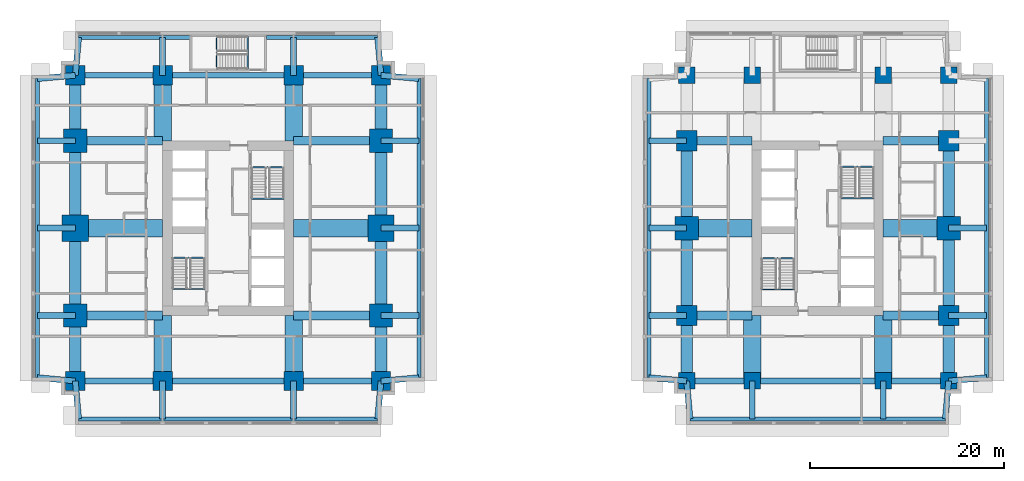
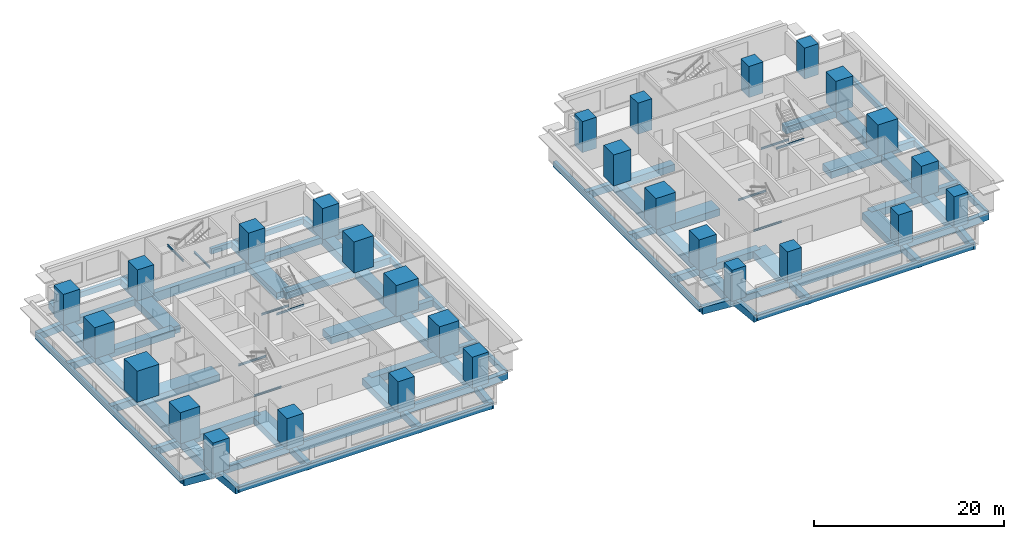
# One storey, part 1 of 11: 88 beams, 28 columns.
"""IFC4 building model written with IfcOpenShell, lengths in metres."""

import ifcopenshell
import ifcopenshell.guid

model = None  # the IFC model being written
_history = None  # IfcOwnerHistory: only IFC2X3 demands one
_inside = {}  # id of a spatial element -> (the spatial element, [elements in it])
_under = {}  # id of a project, library or spatial element -> (it, [spatial elements below it])
_declared = {}  # id of a project -> (the project, [libraries it declares])
_typed = {}  # id of a type object -> (the type object, [elements of that type])
_made_of = {}  # id of a material, layer set ... -> (it, [elements and type objects made of it])


def new_model(schema):
    """Start an empty IFC model of exactly this schema.

    Asked for "IFC4X3", IfcOpenShell would pick the latest addendum, in which some entities
    have other attributes; the version numbers below select the first issue.
    IFC2X3 requires an IfcOwnerHistory on every rooted entity: one is made here for all.
    """
    global model, _history
    if schema == "IFC4X3":
        model = ifcopenshell.file(schema_version=(4, 3, 0, 0))
    else:
        model = ifcopenshell.file(schema=schema)
    _inside.clear()
    _under.clear()
    _declared.clear()
    _typed.clear()
    _made_of.clear()
    _history = None
    if model.schema == "IFC2X3":
        org = make("IfcOrganization", Name="unknown")
        user = make(
            "IfcPersonAndOrganization",
            ThePerson=make("IfcPerson", FamilyName="unknown"),
            TheOrganization=org,
        )
        app = make(
            "IfcApplication",
            ApplicationDeveloper=org,
            Version="unknown",
            ApplicationFullName="unknown",
            ApplicationIdentifier="unknown",
        )
        _history = make(
            "IfcOwnerHistory",
            OwningUser=user,
            OwningApplication=app,
            ChangeAction="ADDED",
            CreationDate=0,
        )
    return model


def make(cls, **values):
    """One entity of the class cls with the attributes given. An attribute that is None is left unset."""
    return model.create_entity(
        cls, **{name: value for name, value in values.items() if value is not None}
    )


def rooted(cls, **values):
    """An entity with a GlobalId (a new one), such as an element, a storey or a relation."""
    return make(cls, GlobalId=ifcopenshell.guid.new(), OwnerHistory=_history, **values)


def si_unit(unit_type, name, prefix=None):
    """IfcSIUnit, for example si_unit("LENGTHUNIT", "METRE", prefix="MILLI")."""
    return make("IfcSIUnit", UnitType=unit_type, Prefix=prefix, Name=name)


def assignment(units):
    """IfcUnitAssignment: the units of a project."""
    return None if units is None else make("IfcUnitAssignment", Units=units)


def point(xyz):
    """IfcCartesianPoint."""
    return None if xyz is None else make("IfcCartesianPoint", Coordinates=xyz)


def direction(xyz):
    """IfcDirection."""
    return None if xyz is None else make("IfcDirection", DirectionRatios=xyz)


def frame(location, z_axis=None, x_axis=None):
    """IfcAxis2Placement3D, a coordinate frame: its origin and axes. An axis left out is left unset."""
    return make(
        "IfcAxis2Placement3D",
        Location=point(location),
        Axis=direction(z_axis),
        RefDirection=direction(x_axis),
    )


def frame_2d(location, x_axis=None):
    """IfcAxis2Placement2D, a coordinate frame in the plane: its origin and x axis."""
    return make(
        "IfcAxis2Placement2D", Location=point(location), RefDirection=direction(x_axis)
    )


def origin():
    """The frame at (0, 0, 0) with its axes left unset."""
    return frame((0.0, 0.0, 0.0))


def origin_2d():
    """The frame at (0, 0) in the plane with its x axis left unset."""
    return frame_2d((0.0, 0.0))


def place(relative_to, where):
    """IfcLocalPlacement: puts the frame where relative to a parent placement (None: the world)."""
    return make(
        "IfcLocalPlacement", PlacementRelTo=relative_to, RelativePlacement=where
    )


def context(
    kind, dimensions, precision=None, world=None, true_north=None, identifier=None
):
    """IfcGeometricRepresentationContext, for example the 3D "Model" context."""
    return make(
        "IfcGeometricRepresentationContext",
        ContextIdentifier=identifier,
        ContextType=kind,
        CoordinateSpaceDimension=dimensions,
        Precision=precision,
        WorldCoordinateSystem=world,
        TrueNorth=true_north,
    )


def subcontext(parent, identifier, kind, view, scale=None):
    """IfcGeometricRepresentationSubContext, for example "Body" below "Model"."""
    return make(
        "IfcGeometricRepresentationSubContext",
        ContextIdentifier=identifier,
        ContextType=kind,
        ParentContext=parent,
        TargetScale=scale,
        TargetView=view,
    )


def project(units=None, contexts=None):
    """IfcProject with its units and contexts."""
    return rooted(
        "IfcProject",
        Name="project",
        RepresentationContexts=contexts,
        UnitsInContext=assignment(units),
    )


def spatial(cls, under=None, at=None, **own):
    """A site, building, storey or space (cls), placed at a placement, below another one or the project."""
    s = rooted(cls, ObjectPlacement=at, **own)
    if under is not None:
        _under.setdefault(under.id(), (under, []))[1].append(s)
    return s


def profile(cls, at=None, kind="AREA", **sizes):
    """A parametric profile (cls). Its sizes go by their IFC names, for example OverallWidth=200.0."""
    return make(cls, ProfileType=kind, Position=at, **sizes)


def rectangle(**sizes):
    """IfcRectangleProfileDef."""
    return profile("IfcRectangleProfileDef", **sizes)


def i_section(**sizes):
    """IfcIShapeProfileDef."""
    return profile("IfcIShapeProfileDef", **sizes)


def extrude(swept, where, along, depth):
    """IfcExtrudedAreaSolid: the profile swept, set in the frame where, extruded along a direction by depth."""
    return make(
        "IfcExtrudedAreaSolid",
        SweptArea=swept,
        Position=where,
        ExtrudedDirection=direction(along),
        Depth=depth,
    )


def shape(context_of_items, identifier, shape_type, items):
    """IfcShapeRepresentation: the items that make up one representation, for example the "Body"."""
    return make(
        "IfcShapeRepresentation",
        ContextOfItems=context_of_items,
        RepresentationIdentifier=identifier,
        RepresentationType=shape_type,
        Items=items,
    )


def material(Name=None, Category=None):
    """IfcMaterial."""
    return make("IfcMaterial", Name=Name, Category=Category)


def material_profile(
    of_material, cross_section, Name=None, Category=None, Priority=None
):
    """IfcMaterialProfile: a cross section and its material."""
    return make(
        "IfcMaterialProfile",
        Name=Name,
        Material=of_material,
        Profile=cross_section,
        Priority=Priority,
        Category=Category,
    )


def profile_set(profiles, Name=None, composite=None):
    """IfcMaterialProfileSet."""
    return make(
        "IfcMaterialProfileSet",
        Name=Name,
        MaterialProfiles=profiles,
        CompositeProfile=composite,
    )


def made_of(thing, what):
    """Note that an element or type object is made of a material, layer set ...; save() writes the relation."""
    if what is not None:
        _made_of.setdefault(what.id(), (what, []))[1].append(thing)
    return thing


def type_object(cls, material=None, **own):
    """A type object (cls), such as IfcWallType, which elements share."""
    return made_of(rooted(cls, **own), material)


def element(
    cls,
    number,
    at=None,
    inside=None,
    cuts=None,
    type_object=None,
    material=None,
    context=None,
    identifier="Body",
    shape_type=None,
    held_by="IfcProductDefinitionShape",
    body=None,
    shapes=None,
    **own,
):
    """One element of the class cls, such as IfcWall. Its Tag is "e" and its number.

    at: its placement. inside: the storey or other place that contains it. cuts: it is an
    opening in that element (IfcRelVoidsElement). A single representation is given by context,
    identifier, shape_type and body (its items); several are given by shapes. held_by: the class
    of the entity that holds the representations. save() writes the other relations.
    """
    e = rooted(cls, Tag="e%d" % number, ObjectPlacement=at, **own)
    if body is not None:
        shapes = [shape(context, identifier, shape_type, body)]
    if shapes is not None:
        e.Representation = make(held_by, Representations=shapes)
    if inside is not None:
        _inside.setdefault(inside.id(), (inside, []))[1].append(e)
    if cuts is not None:
        rooted(
            "IfcRelVoidsElement", RelatingBuildingElement=cuts, RelatedOpeningElement=e
        )
    if type_object is not None:
        _typed.setdefault(type_object.id(), (type_object, []))[1].append(e)
    return made_of(e, material)


def aggregate(whole, parts):
    """IfcRelAggregates: a whole, such as a stair, and the parts it consists of."""
    return rooted("IfcRelAggregates", RelatingObject=whole, RelatedObjects=parts)


def save(model, path):
    """Write the relations noted so far, then the file.

    IfcRelAggregates (storeys below a building ...), IfcRelContainedInSpatialStructure (elements
    in a storey), IfcRelDefinesByType, IfcRelAssociatesMaterial and IfcRelDeclares: one each for
    every whole, place, type object, material and project.
    """
    for whole, parts in _under.values():
        aggregate(whole, parts)
    for where, things in _inside.values():
        rooted(
            "IfcRelContainedInSpatialStructure",
            RelatedElements=things,
            RelatingStructure=where,
        )
    for kind, things in _typed.values():
        rooted("IfcRelDefinesByType", RelatedObjects=things, RelatingType=kind)
    for what, things in _made_of.values():
        rooted("IfcRelAssociatesMaterial", RelatedObjects=things, RelatingMaterial=what)
    for by, libraries in _declared.values():
        rooted("IfcRelDeclares", RelatingContext=by, RelatedDefinitions=libraries)
    model.write(path)


model = new_model("IFC4")

# Units and contexts
model_context = context("Model", 3, precision=1e-05, world=origin(), true_north=direction((0.0, 1.0)))
body_context = subcontext(model_context, "Body", "Model", "MODEL_VIEW")
ifc_project = project(units=[si_unit("LENGTHUNIT", "METRE"), si_unit("AREAUNIT", "SQUARE_METRE"), si_unit("VOLUMEUNIT", "CUBIC_METRE"), si_unit("PLANEANGLEUNIT", "RADIAN"), si_unit("MASSUNIT", "GRAM", prefix="KILO")], contexts=[model_context])

# Site, building, storey
site_placement = place(None, origin())
site = spatial("IfcSite", under=ifc_project, at=site_placement, CompositionType="ELEMENT")
building_placement = place(site_placement, origin())
building = spatial("IfcBuilding", under=site, at=building_placement, Name="Namib Vertical Campus", CompositionType="ELEMENT")
storey_placement = place(building_placement, frame((0.0, 0.0, 57.0)))
storey = spatial("IfcBuildingStorey", under=building, at=storey_placement, Name="L13", CompositionType="ELEMENT", Elevation=57.0)

# Columns
ifc_material_1 = material(Name="Concrete C60/75", Category="concrete")
ifc_material_profile_1 = material_profile(ifc_material_1, rectangle(XDim=1.699951171875, YDim=1.699951171875, at=origin_2d()))
ifc_profile_set_1 = profile_set([ifc_material_profile_1], Name="Concrete C60/75")
column_type_1 = type_object("IfcColumnType", Name="Column RC 1700x1700", PredefinedType="COLUMN", material=ifc_profile_set_1)
for number, where, z_axis, x_axis, name in (
    (1, (67.5, 4.5, 0.0), (0.0, 0.0, 1.0), (1.0, 0.0, 0.0), "Column C170 L13"),
    (2, (74.25, 4.5, 0.0), (0.0, 0.0, 1.0), (1.0, 0.0, 0.0), "Column C170 L13"),
    (3, (87.75, 4.5, 0.0), (0.0, 0.0, 1.0), (1.0, 0.0, 0.0), "Column C170 L13"),
    (4, (94.5, 4.5, 0.0), (0.0, 0.0, 1.0), (1.0, 0.0, 0.0), "Column C170 L13"),
    (5, (67.5, 36.0, 0.0), (0.0, 0.0, 1.0), (1.0, 0.0, 0.0), "Column C170 L13"),
    (6, (74.25, 36.0, 0.0), (0.0, 0.0, 1.0), (1.0, 0.0, 0.0), "Column C170 L13"),
    (7, (87.75, 36.0, 0.0), (0.0, 0.0, 1.0), (1.0, 0.0, 0.0), "Column C170 L13"),
    (8, (94.5, 36.0, 0.0), (0.0, 0.0, 1.0), (1.0, 0.0, 0.0), "Column C170 L13"),
):
    element("IfcColumn", number, at=place(storey_placement, frame(where, z_axis=z_axis, x_axis=x_axis)), inside=storey, type_object=column_type_1, Name=name, PredefinedType="COLUMN", context=body_context, shape_type="SweptSolid", body=[
        extrude(rectangle(XDim=1.699951171875, YDim=1.699951171875, at=origin_2d()), origin(), (0.0, 0.0, 1.0), 4.0),
    ])
ifc_material_2 = material(Name="Concrete C60/75", Category="concrete")
ifc_material_profile_2 = material_profile(ifc_material_2, rectangle(XDim=2.0, YDim=2.0, at=origin_2d()))
ifc_profile_set_2 = profile_set([ifc_material_profile_2], Name="Concrete C60/75")
column_type_2 = type_object("IfcColumnType", Name="Column RC 2000x2000", PredefinedType="COLUMN", material=ifc_profile_set_2)
for number, where, z_axis, x_axis, name in (
    (9, (4.5, 4.5, 0.0), (0.0, 0.0, 1.0), (1.0, 0.0, 0.0), "Column C200 L13"),
    (10, (13.5, 4.5, 0.0), (0.0, 0.0, 1.0), (1.0, 0.0, 0.0), "Column C200 L13"),
    (11, (27.0, 4.5, 0.0), (0.0, 0.0, 1.0), (1.0, 0.0, 0.0), "Column C200 L13"),
    (12, (36.0, 4.5, 0.0), (0.0, 0.0, 1.0), (1.0, 0.0, 0.0), "Column C200 L13"),
    (13, (4.5, 36.0, 0.0), (0.0, 0.0, 1.0), (1.0, 0.0, 0.0), "Column C200 L13"),
    (14, (13.5, 36.0, 0.0), (0.0, 0.0, 1.0), (1.0, 0.0, 0.0), "Column C200 L13"),
    (15, (27.0, 36.0, 0.0), (0.0, 0.0, 1.0), (1.0, 0.0, 0.0), "Column C200 L13"),
    (16, (36.0, 36.0, 0.0), (0.0, 0.0, 1.0), (1.0, 0.0, 0.0), "Column C200 L13"),
):
    element("IfcColumn", number, at=place(storey_placement, frame(where, z_axis=z_axis, x_axis=x_axis)), inside=storey, type_object=column_type_2, Name=name, PredefinedType="COLUMN", context=body_context, shape_type="SweptSolid", body=[
        extrude(rectangle(XDim=2.0, YDim=2.0, at=origin_2d()), origin(), (0.0, 0.0, 1.0), 4.0),
    ])
ifc_material_3 = material(Name="Concrete C60/75", Category="concrete")
ifc_material_profile_3 = material_profile(ifc_material_3, rectangle(XDim=2.10009765625, YDim=2.10009765625, at=origin_2d()))
ifc_profile_set_3 = profile_set([ifc_material_profile_3], Name="Concrete C60/75")
column_type_3 = type_object("IfcColumnType", Name="Column RC 2100x2100", PredefinedType="COLUMN", material=ifc_profile_set_3)
for number, where, z_axis, x_axis, name in (
    (17, (67.5, 11.25, 0.0), (0.0, 0.0, 1.0), (1.0, 0.0, 0.0), "Column C210 L13"),
    (18, (94.5, 11.25, 0.0), (0.0, 0.0, 1.0), (1.0, 0.0, 0.0), "Column C210 L13"),
    (19, (67.5, 29.25, 0.0), (0.0, 0.0, 1.0), (1.0, 0.0, 0.0), "Column C210 L13"),
    (20, (94.5, 29.25, 0.0), (0.0, 0.0, 1.0), (1.0, 0.0, 0.0), "Column C210 L13"),
):
    element("IfcColumn", number, at=place(storey_placement, frame(where, z_axis=z_axis, x_axis=x_axis)), inside=storey, type_object=column_type_3, Name=name, PredefinedType="COLUMN", context=body_context, shape_type="SweptSolid", body=[
        extrude(rectangle(XDim=2.10009765625, YDim=2.10009765625, at=origin_2d()), origin(), (0.0, 0.0, 1.0), 4.0),
    ])
ifc_material_4 = material(Name="Concrete C60/75", Category="concrete")
ifc_material_profile_4 = material_profile(ifc_material_4, rectangle(XDim=2.39990234375, YDim=2.39990234375, at=origin_2d()))
ifc_profile_set_4 = profile_set([ifc_material_profile_4], Name="Concrete C60/75")
column_type_4 = type_object("IfcColumnType", Name="Column RC 2400x2400", PredefinedType="COLUMN", material=ifc_profile_set_4)
for number, where, z_axis, x_axis, name in (
    (21, (4.5, 11.25, 0.0), (0.0, 0.0, 1.0), (1.0, 0.0, 0.0), "Column C240 L13"),
    (22, (36.0, 11.25, 0.0), (0.0, 0.0, 1.0), (1.0, 0.0, 0.0), "Column C240 L13"),
    (23, (4.5, 29.25, 0.0), (0.0, 0.0, 1.0), (1.0, 0.0, 0.0), "Column C240 L13"),
    (24, (36.0, 29.25, 0.0), (0.0, 0.0, 1.0), (1.0, 0.0, 0.0), "Column C240 L13"),
    (25, (67.5, 20.25, 0.0), (0.0, 0.0, 1.0), (1.0, 0.0, 0.0), "Column C240 L13"),
    (26, (94.5, 20.25, 0.0), (0.0, 0.0, 1.0), (1.0, 0.0, 0.0), "Column C240 L13"),
):
    element("IfcColumn", number, at=place(storey_placement, frame(where, z_axis=z_axis, x_axis=x_axis)), inside=storey, type_object=column_type_4, Name=name, PredefinedType="COLUMN", context=body_context, shape_type="SweptSolid", body=[
        extrude(rectangle(XDim=2.39990234375, YDim=2.39990234375, at=origin_2d()), origin(), (0.0, 0.0, 1.0), 4.0),
    ])
ifc_material_5 = material(Name="Concrete C60/75", Category="concrete")
ifc_material_profile_5 = material_profile(ifc_material_5, rectangle(XDim=2.699951171875, YDim=2.699951171875, at=origin_2d()))
ifc_profile_set_5 = profile_set([ifc_material_profile_5], Name="Concrete C60/75")
column_type_5 = type_object("IfcColumnType", Name="Column RC 2700x2700", PredefinedType="COLUMN", material=ifc_profile_set_5)
for number, where, z_axis, x_axis, name in (
    (27, (4.5, 20.25, 0.0), (0.0, 0.0, 1.0), (1.0, 0.0, 0.0), "Column C270 L13"),
    (28, (36.0, 20.25, 0.0), (0.0, 0.0, 1.0), (1.0, 0.0, 0.0), "Column C270 L13"),
):
    element("IfcColumn", number, at=place(storey_placement, frame(where, z_axis=z_axis, x_axis=x_axis)), inside=storey, type_object=column_type_5, Name=name, PredefinedType="COLUMN", context=body_context, shape_type="SweptSolid", body=[
        extrude(rectangle(XDim=2.699951171875, YDim=2.699951171875, at=origin_2d()), origin(), (0.0, 0.0, 1.0), 4.0),
    ])

# Beams
ifc_material_6 = material(Name="Concrete C40/50", Category="concrete")
ifc_material_profile_6 = material_profile(ifc_material_6, rectangle(XDim=0.60009765625, YDim=0.89990234375, at=origin_2d()))
ifc_profile_set_6 = profile_set([ifc_material_profile_6], Name="Concrete C40/50")
beam_type_1 = type_object("IfcBeamType", Name="Cantilever girder RC 600x900", PredefinedType="BEAM", material=ifc_profile_set_6)
beam_1_placement = place(storey_placement, frame((4.5, 4.5, -0.699951171875), z_axis=(0.089411326146, -0.995994786511, 0.0), x_axis=(0.995994786511, 0.089411326146, 0.0)))
element("IfcBeam", 29, at=beam_1_placement, inside=storey, type_object=beam_type_1, Name="Beam B3 L13", PredefinedType="BEAM", context=body_context, shape_type="SweptSolid", body=[
    extrude(rectangle(XDim=0.60009765625, YDim=0.89990234375, at=origin_2d()), origin(), (0.0, 0.0, 1.0), 3.91552734375),
])
for number, where, z_axis, x_axis, name in (
    (30, (13.5, 4.5, -0.699951171875), (0.0, -1.0, 0.0), (1.0, 0.0, 0.0), "Beam B3 L13"),
    (31, (27.0, 4.5, -0.699951171875), (0.0, -1.0, 0.0), (1.0, 0.0, 0.0), "Beam B3 L13"),
):
    element("IfcBeam", number, at=place(storey_placement, frame(where, z_axis=z_axis, x_axis=x_axis)), inside=storey, type_object=beam_type_1, Name=name, PredefinedType="BEAM", context=body_context, shape_type="SweptSolid", body=[
        extrude(rectangle(XDim=0.60009765625, YDim=0.89990234375, at=origin_2d()), origin(), (0.0, 0.0, 1.0), 3.89990234375),
    ])
for number, where, z_axis, x_axis, name in (
    (32, (36.0, 4.5, -0.699951171875), (-0.089411326146, -0.995994786511, 0.0), (0.995994786511, -0.089411326146, 0.0), "Beam B3 L13"),
    (33, (4.5, 36.0, -0.699951171875), (0.089411326146, 0.995994786511, 0.0), (-0.995994786511, 0.089411326146, 0.0), "Beam B3 L13"),
):
    element("IfcBeam", number, at=place(storey_placement, frame(where, z_axis=z_axis, x_axis=x_axis)), inside=storey, type_object=beam_type_1, Name=name, PredefinedType="BEAM", context=body_context, shape_type="SweptSolid", body=[
        extrude(rectangle(XDim=0.60009765625, YDim=0.89990234375, at=origin_2d()), origin(), (0.0, 0.0, 1.0), 3.91552734375),
    ])
for number, where, z_axis, x_axis, name in (
    (34, (13.5, 36.0, -0.699951171875), (0.0, 1.0, 0.0), (-1.0, 0.0, 0.0), "Beam B3 L13"),
    (35, (27.0, 36.0, -0.699951171875), (0.0, 1.0, 0.0), (-1.0, 0.0, 0.0), "Beam B3 L13"),
):
    element("IfcBeam", number, at=place(storey_placement, frame(where, z_axis=z_axis, x_axis=x_axis)), inside=storey, type_object=beam_type_1, Name=name, PredefinedType="BEAM", context=body_context, shape_type="SweptSolid", body=[
        extrude(rectangle(XDim=0.60009765625, YDim=0.89990234375, at=origin_2d()), origin(), (0.0, 0.0, 1.0), 3.89990234375),
    ])
for number, where, z_axis, x_axis, name in (
    (36, (36.0, 36.0, -0.699951171875), (-0.089411326146, 0.995994786511, 0.0), (-0.995994786511, -0.089411326146, 0.0), "Beam B3 L13"),
    (37, (4.5, 4.5, -0.699951171875), (-0.995994786511, 0.089411326146, 0.0), (-0.089411326146, -0.995994786511, 0.0), "Beam B3 L13"),
):
    element("IfcBeam", number, at=place(storey_placement, frame(where, z_axis=z_axis, x_axis=x_axis)), inside=storey, type_object=beam_type_1, Name=name, PredefinedType="BEAM", context=body_context, shape_type="SweptSolid", body=[
        extrude(rectangle(XDim=0.60009765625, YDim=0.89990234375, at=origin_2d()), origin(), (0.0, 0.0, 1.0), 3.91552734375),
    ])
for number, where, z_axis, x_axis, name in (
    (38, (4.5, 11.25, -0.699951171875), (-1.0, 0.0, 0.0), (0.0, -1.0, 0.0), "Beam B3 L13"),
    (39, (4.5, 20.25, -0.699951171875), (-1.0, 0.0, 0.0), (0.0, -1.0, 0.0), "Beam B3 L13"),
    (40, (4.5, 29.25, -0.699951171875), (-1.0, 0.0, 0.0), (0.0, -1.0, 0.0), "Beam B3 L13"),
):
    element("IfcBeam", number, at=place(storey_placement, frame(where, z_axis=z_axis, x_axis=x_axis)), inside=storey, type_object=beam_type_1, Name=name, PredefinedType="BEAM", context=body_context, shape_type="SweptSolid", body=[
        extrude(rectangle(XDim=0.60009765625, YDim=0.89990234375, at=origin_2d()), origin(), (0.0, 0.0, 1.0), 3.89990234375),
    ])
for number, where, z_axis, x_axis, name in (
    (41, (4.5, 36.0, -0.699951171875), (-0.995994786511, -0.089411326146, 0.0), (0.089411326146, -0.995994786511, 0.0), "Beam B3 L13"),
    (42, (36.0, 4.5, -0.699951171875), (0.995994786511, 0.089411326146, 0.0), (-0.089411326146, 0.995994786511, 0.0), "Beam B3 L13"),
):
    element("IfcBeam", number, at=place(storey_placement, frame(where, z_axis=z_axis, x_axis=x_axis)), inside=storey, type_object=beam_type_1, Name=name, PredefinedType="BEAM", context=body_context, shape_type="SweptSolid", body=[
        extrude(rectangle(XDim=0.60009765625, YDim=0.89990234375, at=origin_2d()), origin(), (0.0, 0.0, 1.0), 3.91552734375),
    ])
for number, where, z_axis, x_axis, name in (
    (43, (36.0, 11.25, -0.699951171875), (1.0, 0.0, 0.0), (0.0, 1.0, 0.0), "Beam B3 L13"),
    (44, (36.0, 20.25, -0.699951171875), (1.0, 0.0, 0.0), (0.0, 1.0, 0.0), "Beam B3 L13"),
    (45, (36.0, 29.25, -0.699951171875), (1.0, 0.0, 0.0), (0.0, 1.0, 0.0), "Beam B3 L13"),
):
    element("IfcBeam", number, at=place(storey_placement, frame(where, z_axis=z_axis, x_axis=x_axis)), inside=storey, type_object=beam_type_1, Name=name, PredefinedType="BEAM", context=body_context, shape_type="SweptSolid", body=[
        extrude(rectangle(XDim=0.60009765625, YDim=0.89990234375, at=origin_2d()), origin(), (0.0, 0.0, 1.0), 3.89990234375),
    ])
for number, where, z_axis, x_axis, name in (
    (46, (36.0, 36.0, -0.699951171875), (0.995994786511, -0.089411326146, 0.0), (0.089411326146, 0.995994786511, 0.0), "Beam B3 L13"),
    (47, (67.5, 4.5, -0.699951171875), (0.089411326146, -0.995994786511, 0.0), (0.995994786511, 0.089411326146, 0.0), "Beam B3 L13"),
):
    element("IfcBeam", number, at=place(storey_placement, frame(where, z_axis=z_axis, x_axis=x_axis)), inside=storey, type_object=beam_type_1, Name=name, PredefinedType="BEAM", context=body_context, shape_type="SweptSolid", body=[
        extrude(rectangle(XDim=0.60009765625, YDim=0.89990234375, at=origin_2d()), origin(), (0.0, 0.0, 1.0), 3.91552734375),
    ])
for number, where, z_axis, x_axis, name in (
    (48, (74.25, 4.5, -0.699951171875), (0.0, -1.0, 0.0), (1.0, 0.0, 0.0), "Beam B3 L13"),
    (49, (87.75, 4.5, -0.699951171875), (0.0, -1.0, 0.0), (1.0, 0.0, 0.0), "Beam B3 L13"),
):
    element("IfcBeam", number, at=place(storey_placement, frame(where, z_axis=z_axis, x_axis=x_axis)), inside=storey, type_object=beam_type_1, Name=name, PredefinedType="BEAM", context=body_context, shape_type="SweptSolid", body=[
        extrude(rectangle(XDim=0.60009765625, YDim=0.89990234375, at=origin_2d()), origin(), (0.0, 0.0, 1.0), 3.89990234375),
    ])
for number, where, z_axis, x_axis, name in (
    (50, (94.5, 4.5, -0.699951171875), (-0.089411326146, -0.995994786511, 0.0), (0.995994786511, -0.089411326146, 0.0), "Beam B3 L13"),
    (51, (67.5, 4.5, -0.699951171875), (-0.995994786511, 0.089411326146, 0.0), (-0.089411326146, -0.995994786511, 0.0), "Beam B3 L13"),
):
    element("IfcBeam", number, at=place(storey_placement, frame(where, z_axis=z_axis, x_axis=x_axis)), inside=storey, type_object=beam_type_1, Name=name, PredefinedType="BEAM", context=body_context, shape_type="SweptSolid", body=[
        extrude(rectangle(XDim=0.60009765625, YDim=0.89990234375, at=origin_2d()), origin(), (0.0, 0.0, 1.0), 3.91552734375),
    ])
for number, where, z_axis, x_axis, name in (
    (52, (67.5, 11.25, -0.699951171875), (-1.0, 0.0, 0.0), (0.0, -1.0, 0.0), "Beam B3 L13"),
    (53, (67.5, 20.25, -0.699951171875), (-1.0, 0.0, 0.0), (0.0, -1.0, 0.0), "Beam B3 L13"),
    (54, (67.5, 29.25, -0.699951171875), (-1.0, 0.0, 0.0), (0.0, -1.0, 0.0), "Beam B3 L13"),
):
    element("IfcBeam", number, at=place(storey_placement, frame(where, z_axis=z_axis, x_axis=x_axis)), inside=storey, type_object=beam_type_1, Name=name, PredefinedType="BEAM", context=body_context, shape_type="SweptSolid", body=[
        extrude(rectangle(XDim=0.60009765625, YDim=0.89990234375, at=origin_2d()), origin(), (0.0, 0.0, 1.0), 3.89990234375),
    ])
beam_2_placement = place(storey_placement, frame((94.5, 4.5, -0.699951171875), z_axis=(0.995994786511, 0.089411326146, 0.0), x_axis=(-0.089411326146, 0.995994786511, 0.0)))
element("IfcBeam", 55, at=beam_2_placement, inside=storey, type_object=beam_type_1, Name="Beam B3 L13", PredefinedType="BEAM", context=body_context, shape_type="SweptSolid", body=[
    extrude(rectangle(XDim=0.60009765625, YDim=0.89990234375, at=origin_2d()), origin(), (0.0, 0.0, 1.0), 3.91552734375),
])
for number, where, z_axis, x_axis, name in (
    (56, (94.5, 11.25, -0.699951171875), (1.0, 0.0, 0.0), (0.0, 1.0, 0.0), "Beam B3 L13"),
    (57, (94.5, 20.25, -0.699951171875), (1.0, 0.0, 0.0), (0.0, 1.0, 0.0), "Beam B3 L13"),
):
    element("IfcBeam", number, at=place(storey_placement, frame(where, z_axis=z_axis, x_axis=x_axis)), inside=storey, type_object=beam_type_1, Name=name, PredefinedType="BEAM", context=body_context, shape_type="SweptSolid", body=[
        extrude(rectangle(XDim=0.60009765625, YDim=0.89990234375, at=origin_2d()), origin(), (0.0, 0.0, 1.0), 3.89990234375),
    ])
ifc_material_7 = material(Name="Concrete C40/50", Category="concrete")
ifc_material_profile_7 = material_profile(ifc_material_7, rectangle(XDim=0.39990234375, YDim=0.699951171875, at=origin_2d()))
ifc_profile_set_7 = profile_set([ifc_material_profile_7], Name="Concrete C40/50")
beam_type_2 = type_object("IfcBeamType", Name="Edge beam RC 400x700", PredefinedType="SPANDREL", material=ifc_profile_set_7)
beam_3_placement = place(storey_placement, frame((4.85009765625, 0.60009765625, -0.60009765625), z_axis=(1.0, 0.0, 0.0), x_axis=(0.0, 1.0, 0.0)))
element("IfcBeam", 58, at=beam_3_placement, inside=storey, type_object=beam_type_2, Name="Beam B4 L13", PredefinedType="SPANDREL", context=body_context, shape_type="SweptSolid", body=[
    extrude(rectangle(XDim=0.39990234375, YDim=0.699951171875, at=origin_2d()), origin(), (0.0, 0.0, 1.0), 30.7998046875),
])
for number, where, z_axis, x_axis, name in (
    (59, (4.85009765625, 39.89990234375, -0.60009765625), (1.0, 0.0, 0.0), (0.0, 1.0, 0.0), "Beam B4 L13"),
    (60, (24.199951171875, 39.89990234375, -0.60009765625), (1.0, 0.0, 0.0), (0.0, 1.0, 0.0), "Beam B4 L13"),
):
    element("IfcBeam", number, at=place(storey_placement, frame(where, z_axis=z_axis, x_axis=x_axis)), inside=storey, type_object=beam_type_2, Name=name, PredefinedType="SPANDREL", context=body_context, shape_type="SweptSolid", body=[
        extrude(rectangle(XDim=0.39990234375, YDim=0.699951171875, at=origin_2d()), origin(), (0.0, 0.0, 1.0), 11.449951171875),
    ])
for number, where, z_axis, x_axis, name in (
    (61, (0.60009765625, 4.85009765625, -0.60009765625), (0.0, 1.0, 0.0), (-1.0, 0.0, 0.0), "Beam B4 L13"),
    (62, (39.89990234375, 4.85009765625, -0.60009765625), (0.0, 1.0, 0.0), (-1.0, 0.0, 0.0), "Beam B4 L13"),
):
    element("IfcBeam", number, at=place(storey_placement, frame(where, z_axis=z_axis, x_axis=x_axis)), inside=storey, type_object=beam_type_2, Name=name, PredefinedType="SPANDREL", context=body_context, shape_type="SweptSolid", body=[
        extrude(rectangle(XDim=0.39990234375, YDim=0.699951171875, at=origin_2d()), origin(), (0.0, 0.0, 1.0), 30.7998046875),
    ])
beam_4_placement = place(storey_placement, frame((67.85009765625, 0.60009765625, -0.60009765625), z_axis=(1.0, 0.0, 0.0), x_axis=(0.0, 1.0, 0.0)))
element("IfcBeam", 63, at=beam_4_placement, inside=storey, type_object=beam_type_2, Name="Beam B4 L13", PredefinedType="SPANDREL", context=body_context, shape_type="SweptSolid", body=[
    extrude(rectangle(XDim=0.39990234375, YDim=0.699951171875, at=origin_2d()), origin(), (0.0, 0.0, 1.0), 26.2998046875),
])
for number, where, z_axis, x_axis, name in (
    (64, (63.60009765625, 4.85009765625, -0.60009765625), (0.0, 1.0, 0.0), (-1.0, 0.0, 0.0), "Beam B4 L13"),
    (65, (98.39990234375, 4.85009765625, -0.60009765625), (0.0, 1.0, 0.0), (-1.0, 0.0, 0.0), "Beam B4 L13"),
):
    element("IfcBeam", number, at=place(storey_placement, frame(where, z_axis=z_axis, x_axis=x_axis)), inside=storey, type_object=beam_type_2, Name=name, PredefinedType="SPANDREL", context=body_context, shape_type="SweptSolid", body=[
        extrude(rectangle(XDim=0.39990234375, YDim=0.699951171875, at=origin_2d()), origin(), (0.0, 0.0, 1.0), 30.7998046875),
    ])
ifc_material_8 = material(Name="Concrete C40/50", Category="concrete")
ifc_material_profile_8 = material_profile(ifc_material_8, rectangle(XDim=0.89990234375, YDim=0.89990234375, at=origin_2d()))
ifc_profile_set_8 = profile_set([ifc_material_profile_8], Name="Concrete C40/50")
beam_type_3 = type_object("IfcBeamType", Name="Face girder RC 900x900", PredefinedType="BEAM", material=ifc_profile_set_8)
for number, where, z_axis, x_axis, name in (
    (66, (4.5, 11.25, -0.699951171875), (1.0, 0.0, 0.0), (0.0, 1.0, 0.0), "Beam B10 L13"),
    (67, (36.0, 11.25, -0.699951171875), (-1.0, 0.0, 0.0), (0.0, -1.0, 0.0), "Beam B10 L13"),
    (68, (4.5, 29.25, -0.699951171875), (1.0, 0.0, 0.0), (0.0, 1.0, 0.0), "Beam B10 L13"),
    (69, (36.0, 29.25, -0.699951171875), (-1.0, 0.0, 0.0), (0.0, -1.0, 0.0), "Beam B10 L13"),
):
    element("IfcBeam", number, at=place(storey_placement, frame(where, z_axis=z_axis, x_axis=x_axis)), inside=storey, type_object=beam_type_3, Name=name, PredefinedType="BEAM", context=body_context, shape_type="SweptSolid", body=[
        extrude(rectangle(XDim=0.89990234375, YDim=0.89990234375, at=origin_2d()), origin(), (0.0, 0.0, 1.0), 9.0),
    ])
for number, where, z_axis, x_axis, name in (
    (70, (67.5, 11.25, -0.699951171875), (1.0, 0.0, 0.0), (0.0, 1.0, 0.0), "Beam B10 L13"),
    (71, (94.5, 11.25, -0.699951171875), (-1.0, 0.0, 0.0), (0.0, -1.0, 0.0), "Beam B10 L13"),
    (72, (67.5, 29.25, -0.699951171875), (1.0, 0.0, 0.0), (0.0, 1.0, 0.0), "Beam B10 L13"),
    (73, (94.5, 29.25, -0.699951171875), (-1.0, 0.0, 0.0), (0.0, -1.0, 0.0), "Beam B10 L13"),
):
    element("IfcBeam", number, at=place(storey_placement, frame(where, z_axis=z_axis, x_axis=x_axis)), inside=storey, type_object=beam_type_3, Name=name, PredefinedType="BEAM", context=body_context, shape_type="SweptSolid", body=[
        extrude(rectangle(XDim=0.89990234375, YDim=0.89990234375, at=origin_2d()), origin(), (0.0, 0.0, 1.0), 6.75),
    ])
ifc_material_9 = material(Name="Concrete C40/50", Category="concrete")
ifc_material_profile_9 = material_profile(ifc_material_9, rectangle(XDim=1.199951171875, YDim=1.10009765625, at=origin_2d()))
ifc_profile_set_9 = profile_set([ifc_material_profile_9], Name="Concrete C40/50")
beam_type_4 = type_object("IfcBeamType", Name="Face ring beam RC 1200x1100", PredefinedType="BEAM", material=ifc_profile_set_9)
beam_5_placement = place(storey_placement, frame((4.5, 4.5, -0.800048828125), z_axis=(0.0, 1.0, 0.0), x_axis=(-1.0, 0.0, 0.0)))
element("IfcBeam", 74, at=beam_5_placement, inside=storey, type_object=beam_type_4, Name="Beam B11 L13", PredefinedType="BEAM", context=body_context, shape_type="SweptSolid", body=[
    extrude(rectangle(XDim=1.199951171875, YDim=1.10009765625, at=origin_2d()), origin(), (0.0, 0.0, 1.0), 6.75),
])
for number, where, z_axis, x_axis, name in (
    (75, (4.5, 11.25, -0.800048828125), (0.0, 1.0, 0.0), (-1.0, 0.0, 0.0), "Beam B11 L13"),
    (76, (4.5, 20.25, -0.800048828125), (0.0, 1.0, 0.0), (-1.0, 0.0, 0.0), "Beam B11 L13"),
):
    element("IfcBeam", number, at=place(storey_placement, frame(where, z_axis=z_axis, x_axis=x_axis)), inside=storey, type_object=beam_type_4, Name=name, PredefinedType="BEAM", context=body_context, shape_type="SweptSolid", body=[
        extrude(rectangle(XDim=1.199951171875, YDim=1.10009765625, at=origin_2d()), origin(), (0.0, 0.0, 1.0), 9.0),
    ])
for number, where, z_axis, x_axis, name in (
    (77, (4.5, 29.25, -0.800048828125), (0.0, 1.0, 0.0), (-1.0, 0.0, 0.0), "Beam B11 L13"),
    (78, (36.0, 4.5, -0.800048828125), (0.0, 1.0, 0.0), (-1.0, 0.0, 0.0), "Beam B11 L13"),
):
    element("IfcBeam", number, at=place(storey_placement, frame(where, z_axis=z_axis, x_axis=x_axis)), inside=storey, type_object=beam_type_4, Name=name, PredefinedType="BEAM", context=body_context, shape_type="SweptSolid", body=[
        extrude(rectangle(XDim=1.199951171875, YDim=1.10009765625, at=origin_2d()), origin(), (0.0, 0.0, 1.0), 6.75),
    ])
for number, where, z_axis, x_axis, name in (
    (79, (36.0, 11.25, -0.800048828125), (0.0, 1.0, 0.0), (-1.0, 0.0, 0.0), "Beam B11 L13"),
    (80, (36.0, 20.25, -0.800048828125), (0.0, 1.0, 0.0), (-1.0, 0.0, 0.0), "Beam B11 L13"),
):
    element("IfcBeam", number, at=place(storey_placement, frame(where, z_axis=z_axis, x_axis=x_axis)), inside=storey, type_object=beam_type_4, Name=name, PredefinedType="BEAM", context=body_context, shape_type="SweptSolid", body=[
        extrude(rectangle(XDim=1.199951171875, YDim=1.10009765625, at=origin_2d()), origin(), (0.0, 0.0, 1.0), 9.0),
    ])
for number, where, z_axis, x_axis, name in (
    (81, (36.0, 29.25, -0.800048828125), (0.0, 1.0, 0.0), (-1.0, 0.0, 0.0), "Beam B11 L13"),
    (82, (67.5, 4.5, -0.800048828125), (0.0, 1.0, 0.0), (-1.0, 0.0, 0.0), "Beam B11 L13"),
):
    element("IfcBeam", number, at=place(storey_placement, frame(where, z_axis=z_axis, x_axis=x_axis)), inside=storey, type_object=beam_type_4, Name=name, PredefinedType="BEAM", context=body_context, shape_type="SweptSolid", body=[
        extrude(rectangle(XDim=1.199951171875, YDim=1.10009765625, at=origin_2d()), origin(), (0.0, 0.0, 1.0), 6.75),
    ])
for number, where, z_axis, x_axis, name in (
    (83, (67.5, 11.25, -0.800048828125), (0.0, 1.0, 0.0), (-1.0, 0.0, 0.0), "Beam B11 L13"),
    (84, (67.5, 20.25, -0.800048828125), (0.0, 1.0, 0.0), (-1.0, 0.0, 0.0), "Beam B11 L13"),
):
    element("IfcBeam", number, at=place(storey_placement, frame(where, z_axis=z_axis, x_axis=x_axis)), inside=storey, type_object=beam_type_4, Name=name, PredefinedType="BEAM", context=body_context, shape_type="SweptSolid", body=[
        extrude(rectangle(XDim=1.199951171875, YDim=1.10009765625, at=origin_2d()), origin(), (0.0, 0.0, 1.0), 9.0),
    ])
beam_6_placement = place(storey_placement, frame((94.5, 4.5, -0.800048828125), z_axis=(0.0, 1.0, 0.0), x_axis=(-1.0, 0.0, 0.0)))
element("IfcBeam", 85, at=beam_6_placement, inside=storey, type_object=beam_type_4, Name="Beam B11 L13", PredefinedType="BEAM", context=body_context, shape_type="SweptSolid", body=[
    extrude(rectangle(XDim=1.199951171875, YDim=1.10009765625, at=origin_2d()), origin(), (0.0, 0.0, 1.0), 6.75),
])
for number, where, z_axis, x_axis, name in (
    (86, (94.5, 11.25, -0.800048828125), (0.0, 1.0, 0.0), (-1.0, 0.0, 0.0), "Beam B11 L13"),
    (87, (94.5, 20.25, -0.800048828125), (0.0, 1.0, 0.0), (-1.0, 0.0, 0.0), "Beam B11 L13"),
):
    element("IfcBeam", number, at=place(storey_placement, frame(where, z_axis=z_axis, x_axis=x_axis)), inside=storey, type_object=beam_type_4, Name=name, PredefinedType="BEAM", context=body_context, shape_type="SweptSolid", body=[
        extrude(rectangle(XDim=1.199951171875, YDim=1.10009765625, at=origin_2d()), origin(), (0.0, 0.0, 1.0), 9.0),
    ])
ifc_material_10 = material(Name="Steel S355JR", Category="steel")
ifc_material_profile_10 = material_profile(ifc_material_10, i_section(OverallWidth=0.14599609375, OverallDepth=0.25146484375, WebThickness=0.006103515625, FlangeThickness=0.008544921875, FilletRadius=0.007568359375, at=origin_2d()))
ifc_profile_set_10 = profile_set([ifc_material_profile_10], Name="Steel S355JR")
beam_type_5 = type_object("IfcBeamType", Name="Landing trimmer UB 254x146x31", PredefinedType="BEAM", material=ifc_profile_set_10)
for number, where, z_axis, x_axis, name in (
    (88, (14.5, 13.97705078125, -0.125732421875), (1.0, 0.0, 0.0), (0.0, 1.0, 0.0), "Landing trimmer LT1 A-S1 L13 1"),
    (89, (14.5, 17.203125, 1.874267578125), (1.0, 0.0, 0.0), (0.0, 1.0, 0.0), "Landing trimmer LT1 A-S1 L13 2"),
    (90, (22.64990234375, 26.52294921875, -0.125732421875), (1.0, 0.0, 0.0), (0.0, 1.0, 0.0), "Landing trimmer LT1 A-S2 L13 1"),
    (91, (22.64990234375, 23.296875, 1.874267578125), (1.0, 0.0, 0.0), (0.0, 1.0, 0.0), "Landing trimmer LT1 A-S2 L13 2"),
):
    element("IfcBeam", number, at=place(storey_placement, frame(where, z_axis=z_axis, x_axis=x_axis)), inside=storey, type_object=beam_type_5, Name=name, PredefinedType="BEAM", context=body_context, shape_type="SweptSolid", body=[
        extrude(i_section(OverallWidth=0.14599609375, OverallDepth=0.25146484375, WebThickness=0.006103515625, FlangeThickness=0.008544921875, FilletRadius=0.007568359375, at=origin_2d()), origin(), (0.0, 0.0, 1.0), 3.35009765625),
    ])
for number, where, z_axis, x_axis, name in (
    (92, (75.199951171875, 13.927001953125, -0.125732421875), (1.0, 0.0, 0.0), (0.0, 1.0, 0.0), "Landing trimmer LT1 B-S1 L13 1"),
    (93, (75.199951171875, 17.153076171875, 1.874267578125), (1.0, 0.0, 0.0), (0.0, 1.0, 0.0), "Landing trimmer LT1 B-S1 L13 2"),
    (94, (83.39990234375, 26.572998046875, -0.125732421875), (1.0, 0.0, 0.0), (0.0, 1.0, 0.0), "Landing trimmer LT1 B-S2 L13 1"),
    (95, (83.39990234375, 23.346923828125, 1.874267578125), (1.0, 0.0, 0.0), (0.0, 1.0, 0.0), "Landing trimmer LT1 B-S2 L13 2"),
):
    element("IfcBeam", number, at=place(storey_placement, frame(where, z_axis=z_axis, x_axis=x_axis)), inside=storey, type_object=beam_type_5, Name=name, PredefinedType="BEAM", context=body_context, shape_type="SweptSolid", body=[
        extrude(i_section(OverallWidth=0.14599609375, OverallDepth=0.25146484375, WebThickness=0.006103515625, FlangeThickness=0.008544921875, FilletRadius=0.007568359375, at=origin_2d()), origin(), (0.0, 0.0, 1.0), 3.400146484375),
    ])
for number, where, z_axis, x_axis, name in (
    (96, (22.27294921875, 36.64990234375, -0.125732421875), (0.0, 1.0, 0.0), (-1.0, 0.0, 0.0), "Landing trimmer LT1 A-S3 L13 1"),
    (97, (19.046875, 36.64990234375, 1.874267578125), (0.0, 1.0, 0.0), (-1.0, 0.0, 0.0), "Landing trimmer LT1 A-S3 L13 2"),
):
    element("IfcBeam", number, at=place(storey_placement, frame(where, z_axis=z_axis, x_axis=x_axis)), inside=storey, type_object=beam_type_5, Name=name, PredefinedType="BEAM", context=body_context, shape_type="SweptSolid", body=[
        extrude(i_section(OverallWidth=0.14599609375, OverallDepth=0.25146484375, WebThickness=0.006103515625, FlangeThickness=0.008544921875, FilletRadius=0.007568359375, at=origin_2d()), origin(), (0.0, 0.0, 1.0), 3.35009765625),
    ])
ifc_material_11 = material(Name="Concrete C40/50", Category="concrete")
ifc_material_profile_11 = material_profile(ifc_material_11, rectangle(XDim=0.60009765625, YDim=1.199951171875, at=origin_2d()))
ifc_profile_set_11 = profile_set([ifc_material_profile_11], Name="Concrete C40/50")
beam_type_6 = type_object("IfcBeamType", Name="Long-span ring beam RC 600x1200", PredefinedType="BEAM", material=ifc_profile_set_11)
for number, where, z_axis, x_axis, name in (
    (98, (13.5, 4.5, -0.85009765625), (1.0, 0.0, 0.0), (0.0, 1.0, 0.0), "Beam B9 L13"),
    (99, (13.5, 36.0, -0.85009765625), (1.0, 0.0, 0.0), (0.0, 1.0, 0.0), "Beam B9 L13"),
    (100, (74.25, 4.5, -0.85009765625), (1.0, 0.0, 0.0), (0.0, 1.0, 0.0), "Beam B9 L13"),
):
    element("IfcBeam", number, at=place(storey_placement, frame(where, z_axis=z_axis, x_axis=x_axis)), inside=storey, type_object=beam_type_6, Name=name, PredefinedType="BEAM", context=body_context, shape_type="SweptSolid", body=[
        extrude(rectangle(XDim=0.60009765625, YDim=1.199951171875, at=origin_2d()), origin(), (0.0, 0.0, 1.0), 13.5),
    ])
ifc_material_12 = material(Name="Concrete C40/50", Category="concrete")
ifc_material_profile_12 = material_profile(ifc_material_12, rectangle(XDim=1.800048828125, YDim=0.89990234375, at=origin_2d()))
ifc_profile_set_12 = profile_set([ifc_material_profile_12], Name="Concrete C40/50")
beam_type_7 = type_object("IfcBeamType", Name="Outrigger line girder RC 1800x900", PredefinedType="BEAM", material=ifc_profile_set_12)
for number, where, z_axis, x_axis, name in (
    (101, (13.5, 4.5, -0.699951171875), (0.0, 1.0, 0.0), (-1.0, 0.0, 0.0), "Beam B12 L13"),
    (102, (13.5, 36.0, -0.699951171875), (0.0, -1.0, 0.0), (1.0, 0.0, 0.0), "Beam B12 L13"),
    (103, (27.0, 4.5, -0.699951171875), (0.0, 1.0, 0.0), (-1.0, 0.0, 0.0), "Beam B12 L13"),
    (104, (27.0, 36.0, -0.699951171875), (0.0, -1.0, 0.0), (1.0, 0.0, 0.0), "Beam B12 L13"),
):
    element("IfcBeam", number, at=place(storey_placement, frame(where, z_axis=z_axis, x_axis=x_axis)), inside=storey, type_object=beam_type_7, Name=name, PredefinedType="BEAM", context=body_context, shape_type="SweptSolid", body=[
        extrude(rectangle(XDim=1.800048828125, YDim=0.89990234375, at=origin_2d()), origin(), (0.0, 0.0, 1.0), 6.75),
    ])
for number, where, z_axis, x_axis, name in (
    (105, (4.5, 20.25, -0.699951171875), (1.0, 0.0, 0.0), (0.0, 1.0, 0.0), "Beam B12 L13"),
    (106, (36.0, 20.25, -0.699951171875), (-1.0, 0.0, 0.0), (0.0, -1.0, 0.0), "Beam B12 L13"),
):
    element("IfcBeam", number, at=place(storey_placement, frame(where, z_axis=z_axis, x_axis=x_axis)), inside=storey, type_object=beam_type_7, Name=name, PredefinedType="BEAM", context=body_context, shape_type="SweptSolid", body=[
        extrude(rectangle(XDim=1.800048828125, YDim=0.89990234375, at=origin_2d()), origin(), (0.0, 0.0, 1.0), 9.0),
    ])
for number, where, z_axis, x_axis, name in (
    (107, (74.25, 4.5, -0.699951171875), (0.0, 1.0, 0.0), (-1.0, 0.0, 0.0), "Beam B12 L13"),
    (108, (87.75, 4.5, -0.699951171875), (0.0, 1.0, 0.0), (-1.0, 0.0, 0.0), "Beam B12 L13"),
    (109, (67.5, 20.25, -0.699951171875), (1.0, 0.0, 0.0), (0.0, 1.0, 0.0), "Beam B12 L13"),
    (110, (94.5, 20.25, -0.699951171875), (-1.0, 0.0, 0.0), (0.0, -1.0, 0.0), "Beam B12 L13"),
):
    element("IfcBeam", number, at=place(storey_placement, frame(where, z_axis=z_axis, x_axis=x_axis)), inside=storey, type_object=beam_type_7, Name=name, PredefinedType="BEAM", context=body_context, shape_type="SweptSolid", body=[
        extrude(rectangle(XDim=1.800048828125, YDim=0.89990234375, at=origin_2d()), origin(), (0.0, 0.0, 1.0), 6.75),
    ])
ifc_material_13 = material(Name="Concrete C40/50", Category="concrete")
ifc_material_profile_13 = material_profile(ifc_material_13, rectangle(XDim=0.60009765625, YDim=0.800048828125, at=origin_2d()))
ifc_profile_set_13 = profile_set([ifc_material_profile_13], Name="Concrete C40/50")
beam_type_8 = type_object("IfcBeamType", Name="Ring beam RC 600x800", PredefinedType="BEAM", material=ifc_profile_set_13)
for number, where, z_axis, x_axis, name in (
    (111, (4.5, 4.5, -0.64990234375), (1.0, 0.0, 0.0), (0.0, 1.0, 0.0), "Beam B1 L13"),
    (112, (27.0, 4.5, -0.64990234375), (1.0, 0.0, 0.0), (0.0, 1.0, 0.0), "Beam B1 L13"),
    (113, (4.5, 36.0, -0.64990234375), (1.0, 0.0, 0.0), (0.0, 1.0, 0.0), "Beam B1 L13"),
    (114, (27.0, 36.0, -0.64990234375), (1.0, 0.0, 0.0), (0.0, 1.0, 0.0), "Beam B1 L13"),
):
    element("IfcBeam", number, at=place(storey_placement, frame(where, z_axis=z_axis, x_axis=x_axis)), inside=storey, type_object=beam_type_8, Name=name, PredefinedType="BEAM", context=body_context, shape_type="SweptSolid", body=[
        extrude(rectangle(XDim=0.60009765625, YDim=0.800048828125, at=origin_2d()), origin(), (0.0, 0.0, 1.0), 9.0),
    ])
for number, where, z_axis, x_axis, name in (
    (115, (67.5, 4.5, -0.64990234375), (1.0, 0.0, 0.0), (0.0, 1.0, 0.0), "Beam B1 L13"),
    (116, (87.75, 4.5, -0.64990234375), (1.0, 0.0, 0.0), (0.0, 1.0, 0.0), "Beam B1 L13"),
):
    element("IfcBeam", number, at=place(storey_placement, frame(where, z_axis=z_axis, x_axis=x_axis)), inside=storey, type_object=beam_type_8, Name=name, PredefinedType="BEAM", context=body_context, shape_type="SweptSolid", body=[
        extrude(rectangle(XDim=0.60009765625, YDim=0.800048828125, at=origin_2d()), origin(), (0.0, 0.0, 1.0), 6.75),
    ])

save(model, "model.ifc")
